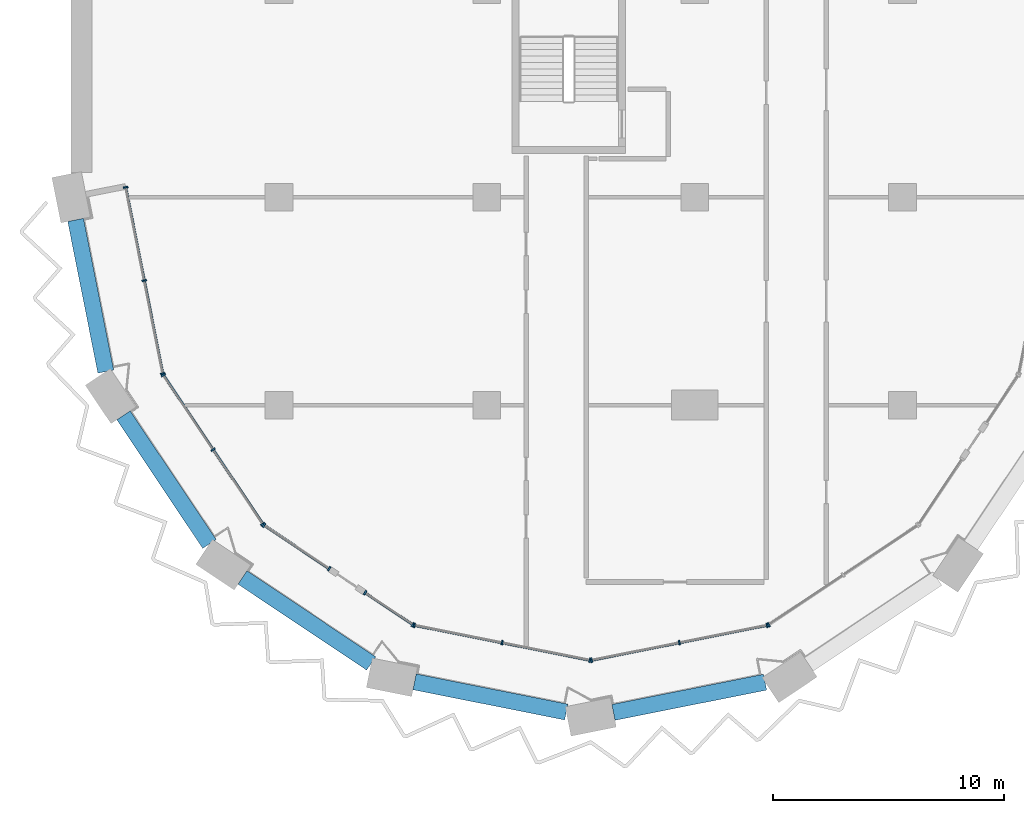
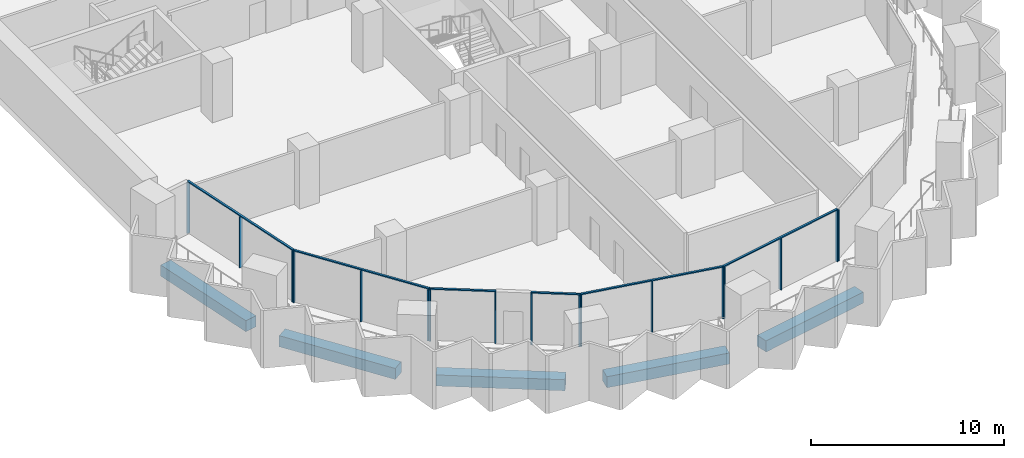
# One storey, part 2 of 23: 23 members, 5 beams, 7 elements without a shape of their own.
"""IFC4 building model written with IfcOpenShell, lengths in metres."""

from ifc_helpers import new_model, si_unit, direction, frame, origin, origin_2d, place, context, subcontext, project, spatial, rectangle, extrude, material, material_profile, profile_set, type_object, element, aggregate, save


model = new_model("IFC4")

# Units and contexts
model_context = context("Model", 3, precision=1e-05, world=origin(), true_north=direction((0.0, 1.0)))
body_context = subcontext(model_context, "Body", "Model", "MODEL_VIEW")
ifc_project = project(units=[si_unit("LENGTHUNIT", "METRE"), si_unit("AREAUNIT", "SQUARE_METRE"), si_unit("VOLUMEUNIT", "CUBIC_METRE"), si_unit("PLANEANGLEUNIT", "RADIAN"), si_unit("MASSUNIT", "GRAM", prefix="KILO")], contexts=[model_context])

# Site, building, storey
site_placement = place(None, origin())
site = spatial("IfcSite", under=ifc_project, at=site_placement, CompositionType="ELEMENT")
building_placement = place(site_placement, origin())
building = spatial("IfcBuilding", under=site, at=building_placement, Name="Hunhe Ridgeline Campus", CompositionType="ELEMENT")
storey_placement = place(building_placement, frame((0.0, 0.0, 144.89990234375)))
storey = spatial("IfcBuildingStorey", under=building, at=storey_placement, Name="L36", CompositionType="ELEMENT", Elevation=144.89990234375)

# Curtain wall, members
ifc_material_1 = material(Name="Aluminium 6063", Category="aluminium")
curtain_wall_type = type_object("IfcCurtainWallType", Name="Curtain wall CW-5", PredefinedType="NOTDEFINED", material=ifc_material_1)
curtain_wall_1_placement = place(storey_placement, origin())
curtain_wall_1 = element("IfcCurtainWall", 1, at=curtain_wall_1_placement, inside=storey, type_object=curtain_wall_type, Name="Curtain wall 01", PredefinedType="NOTDEFINED")
ifc_material_profile_1 = material_profile(ifc_material_1, rectangle(XDim=0.199951171875, YDim=0.070068359375, at=origin_2d()))
ifc_profile_set_1 = profile_set([ifc_material_profile_1], Name="Aluminium 6063")
member_type_1 = type_object("IfcMemberType", Name="CW-5 aluminium mullion", PredefinedType="MULLION", material=ifc_profile_set_1)
member_1_placement = place(storey_placement, frame((2.361572265625, 27.434326171875, 0.0), z_axis=(0.0, 0.0, 1.0), x_axis=(0.980784280831, 0.195095347137, 0.0)))
member_1 = element("IfcMember", 2, at=member_1_placement, type_object=member_type_1, Name="CW-5 mullion 1", PredefinedType="MULLION", context=body_context, shape_type="SweptSolid", body=[
    extrude(rectangle(XDim=0.199951171875, YDim=0.070068359375, at=origin_2d()), origin(), (0.0, 0.0, 1.0), 3.22998046875),
])
member_2_placement = place(storey_placement, frame((3.16455078125, 23.3974609375, 0.0), z_axis=(0.0, 0.0, 1.0), x_axis=(0.980784280831, 0.195095347137, 0.0)))
member_2 = element("IfcMember", 3, at=member_2_placement, type_object=member_type_1, Name="CW-5 mullion 2", PredefinedType="MULLION", context=body_context, shape_type="SweptSolid", body=[
    extrude(rectangle(XDim=0.199951171875, YDim=0.070068359375, at=origin_2d()), origin(), (0.0, 0.0, 1.0), 3.22998046875),
])
member_3_placement = place(storey_placement, frame((3.967529296875, 19.36083984375, 0.0), z_axis=(0.0, 0.0, 1.0), x_axis=(0.980784280831, 0.195095347137, 0.0)))
member_3 = element("IfcMember", 4, at=member_3_placement, type_object=member_type_1, Name="CW-5 mullion 3", PredefinedType="MULLION", context=body_context, shape_type="SweptSolid", body=[
    extrude(rectangle(XDim=0.199951171875, YDim=0.070068359375, at=origin_2d()), origin(), (0.0, 0.0, 1.0), 3.22998046875),
])

curtain_wall_2_placement = place(storey_placement, origin())
curtain_wall_2 = element("IfcCurtainWall", 5, at=curtain_wall_2_placement, inside=storey, type_object=curtain_wall_type, Name="Curtain wall 02", PredefinedType="NOTDEFINED")
member_4_placement = place(storey_placement, frame((3.993896484375, 19.29736328125, 0.0), z_axis=(0.0, 0.0, 1.0), x_axis=(0.831469584522, 0.555570274596, 0.0)))
member_4 = element("IfcMember", 6, at=member_4_placement, type_object=member_type_1, Name="CW-5 mullion 1", PredefinedType="MULLION", context=body_context, shape_type="SweptSolid", body=[
    extrude(rectangle(XDim=0.199951171875, YDim=0.070068359375, at=origin_2d()), origin(), (0.0, 0.0, 1.0), 3.22998046875),
])
member_5_placement = place(storey_placement, frame((6.147705078125, 16.07373046875, 0.0), z_axis=(0.0, 0.0, 1.0), x_axis=(0.831469584522, 0.555570274596, 0.0)))
member_5 = element("IfcMember", 7, at=member_5_placement, type_object=member_type_1, Name="CW-5 mullion 2", PredefinedType="MULLION", context=body_context, shape_type="SweptSolid", body=[
    extrude(rectangle(XDim=0.199951171875, YDim=0.070068359375, at=origin_2d()), origin(), (0.0, 0.0, 1.0), 3.22998046875),
])
member_6_placement = place(storey_placement, frame((8.3017578125, 12.850341796875, 0.0), z_axis=(0.0, 0.0, 1.0), x_axis=(0.831469584522, 0.555570274596, 0.0)))
member_6 = element("IfcMember", 8, at=member_6_placement, type_object=member_type_1, Name="CW-5 mullion 3", PredefinedType="MULLION", context=body_context, shape_type="SweptSolid", body=[
    extrude(rectangle(XDim=0.199951171875, YDim=0.070068359375, at=origin_2d()), origin(), (0.0, 0.0, 1.0), 3.22998046875),
])

curtain_wall_3_placement = place(storey_placement, origin())
curtain_wall_3 = element("IfcCurtainWall", 9, at=curtain_wall_3_placement, inside=storey, type_object=curtain_wall_type, Name="Curtain wall 03", PredefinedType="NOTDEFINED")
member_7_placement = place(storey_placement, frame((8.350341796875, 12.8017578125, 0.0), z_axis=(0.0, 0.0, 1.0), x_axis=(0.555570257501, 0.831469595944, 0.0)))
member_7 = element("IfcMember", 10, at=member_7_placement, type_object=member_type_1, Name="CW-5 mullion 1", PredefinedType="MULLION", context=body_context, shape_type="SweptSolid", body=[
    extrude(rectangle(XDim=0.199951171875, YDim=0.070068359375, at=origin_2d()), origin(), (0.0, 0.0, 1.0), 3.22998046875),
])
member_8_placement = place(storey_placement, frame((11.17041015625, 10.917236328125, 0.0), z_axis=(0.0, 0.0, 1.0), x_axis=(0.555570257501, 0.831469595944, 0.0)))
member_8 = element("IfcMember", 11, at=member_8_placement, type_object=member_type_1, Name="CW-5 mullion 2", PredefinedType="MULLION", context=body_context, shape_type="SweptSolid", body=[
    extrude(rectangle(XDim=0.199951171875, YDim=0.070068359375, at=origin_2d()), origin(), (0.0, 0.0, 1.0), 3.22998046875),
])

curtain_wall_4_placement = place(storey_placement, origin())
curtain_wall_4 = element("IfcCurtainWall", 12, at=curtain_wall_4_placement, inside=storey, type_object=curtain_wall_type, Name="Curtain wall 04", PredefinedType="NOTDEFINED")
member_9_placement = place(storey_placement, frame((12.725341796875, 9.87841796875, 0.0), z_axis=(0.0, 0.0, 1.0), x_axis=(0.555570385598, 0.831469510353, 0.0)))
member_9 = element("IfcMember", 13, at=member_9_placement, type_object=member_type_1, Name="CW-5 mullion 1", PredefinedType="MULLION", context=body_context, shape_type="SweptSolid", body=[
    extrude(rectangle(XDim=0.199951171875, YDim=0.070068359375, at=origin_2d()), origin(), (0.0, 0.0, 1.0), 3.22998046875),
])
member_10_placement = place(storey_placement, frame((14.79736328125, 8.493896484375, 0.0), z_axis=(0.0, 0.0, 1.0), x_axis=(0.555570385598, 0.831469510353, 0.0)))
member_10 = element("IfcMember", 14, at=member_10_placement, type_object=member_type_1, Name="CW-5 mullion 2", PredefinedType="MULLION", context=body_context, shape_type="SweptSolid", body=[
    extrude(rectangle(XDim=0.199951171875, YDim=0.070068359375, at=origin_2d()), origin(), (0.0, 0.0, 1.0), 3.22998046875),
])

curtain_wall_5_placement = place(storey_placement, origin())
curtain_wall_5 = element("IfcCurtainWall", 15, at=curtain_wall_5_placement, inside=storey, type_object=curtain_wall_type, Name="Curtain wall 05", PredefinedType="NOTDEFINED")
member_11_placement = place(storey_placement, frame((14.86083984375, 8.467529296875, 0.0), z_axis=(0.0, 0.0, 1.0), x_axis=(0.195090347539, 0.980785275326, 0.0)))
member_11 = element("IfcMember", 16, at=member_11_placement, type_object=member_type_1, Name="CW-5 mullion 1", PredefinedType="MULLION", context=body_context, shape_type="SweptSolid", body=[
    extrude(rectangle(XDim=0.199951171875, YDim=0.070068359375, at=origin_2d()), origin(), (0.0, 0.0, 1.0), 3.22998046875),
])
member_12_placement = place(storey_placement, frame((18.663330078125, 7.711181640625, 0.0), z_axis=(0.0, 0.0, 1.0), x_axis=(0.195090347539, 0.980785275326, 0.0)))
member_12 = element("IfcMember", 17, at=member_12_placement, type_object=member_type_1, Name="CW-5 mullion 2", PredefinedType="MULLION", context=body_context, shape_type="SweptSolid", body=[
    extrude(rectangle(XDim=0.199951171875, YDim=0.070068359375, at=origin_2d()), origin(), (0.0, 0.0, 1.0), 3.22998046875),
])
member_13_placement = place(storey_placement, frame((22.465576171875, 6.954833984375, 0.0), z_axis=(0.0, 0.0, 1.0), x_axis=(0.195090347539, 0.980785275326, 0.0)))
member_13 = element("IfcMember", 18, at=member_13_placement, type_object=member_type_1, Name="CW-5 mullion 3", PredefinedType="MULLION", context=body_context, shape_type="SweptSolid", body=[
    extrude(rectangle(XDim=0.199951171875, YDim=0.070068359375, at=origin_2d()), origin(), (0.0, 0.0, 1.0), 3.22998046875),
])

curtain_wall_6_placement = place(storey_placement, origin())
curtain_wall_6 = element("IfcCurtainWall", 19, at=curtain_wall_6_placement, inside=storey, type_object=curtain_wall_type, Name="Curtain wall 06", PredefinedType="NOTDEFINED")
member_14_placement = place(storey_placement, frame((22.534423828125, 6.954833984375, 0.0), z_axis=(0.0, 0.0, 1.0), x_axis=(-0.195090347539, 0.980785275326, 0.0)))
member_14 = element("IfcMember", 20, at=member_14_placement, type_object=member_type_1, Name="CW-5 mullion 1", PredefinedType="MULLION", context=body_context, shape_type="SweptSolid", body=[
    extrude(rectangle(XDim=0.199951171875, YDim=0.070068359375, at=origin_2d()), origin(), (0.0, 0.0, 1.0), 3.22998046875),
])
member_15_placement = place(storey_placement, frame((26.336669921875, 7.711181640625, 0.0), z_axis=(0.0, 0.0, 1.0), x_axis=(-0.195090347539, 0.980785275326, 0.0)))
member_15 = element("IfcMember", 21, at=member_15_placement, type_object=member_type_1, Name="CW-5 mullion 2", PredefinedType="MULLION", context=body_context, shape_type="SweptSolid", body=[
    extrude(rectangle(XDim=0.199951171875, YDim=0.070068359375, at=origin_2d()), origin(), (0.0, 0.0, 1.0), 3.22998046875),
])
member_16_placement = place(storey_placement, frame((30.13916015625, 8.467529296875, 0.0), z_axis=(0.0, 0.0, 1.0), x_axis=(-0.195090347539, 0.980785275326, 0.0)))
member_16 = element("IfcMember", 22, at=member_16_placement, type_object=member_type_1, Name="CW-5 mullion 3", PredefinedType="MULLION", context=body_context, shape_type="SweptSolid", body=[
    extrude(rectangle(XDim=0.199951171875, YDim=0.070068359375, at=origin_2d()), origin(), (0.0, 0.0, 1.0), 3.22998046875),
])

# Curtain wall, member
curtain_wall_7_placement = place(storey_placement, origin())
curtain_wall_7 = element("IfcCurtainWall", 23, at=curtain_wall_7_placement, inside=storey, type_object=curtain_wall_type, Name="Curtain wall 07", PredefinedType="NOTDEFINED")
member_17_placement = place(storey_placement, frame((30.20263671875, 8.493896484375, 0.0), z_axis=(0.0, 0.0, 1.0), x_axis=(-0.555570274596, 0.831469584522, 0.0)))
member_17 = element("IfcMember", 24, at=member_17_placement, type_object=member_type_1, Name="CW-5 mullion 1", PredefinedType="MULLION", context=body_context, shape_type="SweptSolid", body=[
    extrude(rectangle(XDim=0.199951171875, YDim=0.070068359375, at=origin_2d()), origin(), (0.0, 0.0, 1.0), 3.22998046875),
])
aggregate(curtain_wall_7, [member_17])

# Member
ifc_material_profile_2 = material_profile(ifc_material_1, rectangle(XDim=0.1201171875, YDim=0.070068359375, at=origin_2d()))
ifc_profile_set_2 = profile_set([ifc_material_profile_2], Name="Aluminium 6063")
member_type_2 = type_object("IfcMemberType", Name="CW-5 aluminium transom", PredefinedType="USERDEFINED", material=ifc_profile_set_2)
member_18_placement = place(storey_placement, frame((2.354736328125, 27.46875, 3.26513671875), z_axis=(0.195092405068, -0.980784866056, 0.0), x_axis=(0.980784866056, 0.195092405068, 0.0)))
member_18 = element("IfcMember", 25, at=member_18_placement, type_object=member_type_2, Name="CW-5 transom 1", ObjectType="TRANSOM", PredefinedType="USERDEFINED", context=body_context, shape_type="SweptSolid", body=[
    extrude(rectangle(XDim=0.1201171875, YDim=0.070068359375, at=origin_2d()), origin(), (0.0, 0.0, 1.0), 8.3017578125),
])

aggregate(curtain_wall_1, [member_18, member_1, member_2, member_3])

member_19_placement = place(storey_placement, frame((3.974365234375, 19.326416015625, 3.26513671875), z_axis=(0.5555640203, -0.831473763475, 0.0), x_axis=(0.831473763475, 0.5555640203, 0.0)))
member_19 = element("IfcMember", 26, at=member_19_placement, type_object=member_type_2, Name="CW-5 transom 1", ObjectType="TRANSOM", PredefinedType="USERDEFINED", context=body_context, shape_type="SweptSolid", body=[
    extrude(rectangle(XDim=0.1201171875, YDim=0.070068359375, at=origin_2d()), origin(), (0.0, 0.0, 1.0), 7.823974609375),
])

aggregate(curtain_wall_2, [member_19, member_4, member_5, member_6])

member_20_placement = place(storey_placement, frame((8.321044921875, 12.821044921875, 3.26513671875), z_axis=(0.831485714606, -0.555546133463, 0.0), x_axis=(0.555546133463, 0.831485714606, 0.0)))
member_20 = element("IfcMember", 27, at=member_20_placement, type_object=member_type_2, Name="CW-5 transom 1", ObjectType="TRANSOM", PredefinedType="USERDEFINED", context=body_context, shape_type="SweptSolid", body=[
    extrude(rectangle(XDim=0.1201171875, YDim=0.070068359375, at=origin_2d()), origin(), (0.0, 0.0, 1.0), 3.462158203125),
])

aggregate(curtain_wall_3, [member_20, member_7, member_8])

member_21_placement = place(storey_placement, frame((12.6962890625, 9.897705078125, 3.26513671875), z_axis=(0.831463388334, -0.555579547735, 0.0), x_axis=(0.555579547735, 0.831463388334, 0.0)))
member_21 = element("IfcMember", 28, at=member_21_placement, type_object=member_type_2, Name="CW-5 transom 1", ObjectType="TRANSOM", PredefinedType="USERDEFINED", context=body_context, shape_type="SweptSolid", body=[
    extrude(rectangle(XDim=0.1201171875, YDim=0.070068359375, at=origin_2d()), origin(), (0.0, 0.0, 1.0), 2.56201171875),
])

aggregate(curtain_wall_4, [member_21, member_9, member_10])

member_22_placement = place(storey_placement, frame((14.826416015625, 8.474365234375, 3.26513671875), z_axis=(0.980785367689, -0.195089883198, 0.0), x_axis=(0.195089883198, 0.980785367689, 0.0)))
member_22 = element("IfcMember", 29, at=member_22_placement, type_object=member_type_2, Name="CW-5 transom 1", ObjectType="TRANSOM", PredefinedType="USERDEFINED", context=body_context, shape_type="SweptSolid", body=[
    extrude(rectangle(XDim=0.1201171875, YDim=0.070068359375, at=origin_2d()), origin(), (0.0, 0.0, 1.0), 7.823974609375),
])

aggregate(curtain_wall_5, [member_22, member_11, member_12, member_13])

member_23_placement = place(storey_placement, frame((22.5, 6.947998046875, 3.26513671875), z_axis=(0.980785367689, 0.195089883198, 0.0), x_axis=(-0.195089883198, 0.980785367689, 0.0)))
member_23 = element("IfcMember", 30, at=member_23_placement, type_object=member_type_2, Name="CW-5 transom 1", ObjectType="TRANSOM", PredefinedType="USERDEFINED", context=body_context, shape_type="SweptSolid", body=[
    extrude(rectangle(XDim=0.1201171875, YDim=0.070068359375, at=origin_2d()), origin(), (0.0, 0.0, 1.0), 7.823974609375),
])

aggregate(curtain_wall_6, [member_23, member_14, member_15, member_16])

# Beams
ifc_material_2 = material(Name="Concrete C60", Category="concrete")
ifc_material_profile_3 = material_profile(ifc_material_2, rectangle(XDim=0.699951171875, YDim=0.699951171875, at=origin_2d()))
ifc_profile_set_3 = profile_set([ifc_material_profile_3], Name="Concrete C60")
beam_type = type_object("IfcBeamType", Name="RC spandrel beam 700x700 Concrete C60", PredefinedType="SPANDREL", material=ifc_profile_set_3)
for number, where, z_axis, x_axis, name in (
    (31, (0.195068359375, 26.019287109375, -0.599853515625), (0.195078418929, -0.980787647999, 0.0), (0.980787647999, 0.195078418929, 0.0), "Spandrel beam B2-1 L36"),
    (32, (2.268310546875, 17.55810546875, -0.599853515625), (0.555566447474, -0.831472141711, 0.0), (0.831472141711, 0.555566447474, 0.0), "Spandrel beam B2-2 L36"),
    (33, (7.421630859375, 10.534423828125, -0.599853515625), (0.831472141711, -0.555566447474, 0.0), (0.555566447474, 0.831472141711, 0.0), "Spandrel beam B2-3 L36"),
    (34, (14.870361328125, 6.017578125, -0.599853515625), (0.980787647999, -0.195078418929, 0.0), (0.195078418929, 0.980787647999, 0.0), "Spandrel beam B2-4 L36"),
    (35, (23.480712890625, 4.695068359375, -0.599853515625), (0.980787647999, 0.195078418929, 0.0), (-0.195078418929, 0.980787647999, 0.0), "Spandrel beam B2-5 L36"),
):
    element("IfcBeam", number, at=place(storey_placement, frame(where, z_axis=z_axis, x_axis=x_axis)), inside=storey, type_object=beam_type, Name=name, PredefinedType="SPANDREL", context=body_context, shape_type="SweptSolid", body=[
        extrude(rectangle(XDim=0.699951171875, YDim=0.699951171875, at=origin_2d()), origin(), (0.0, 0.0, 1.0), 6.69677734375),
    ])

save(model, "model.ifc")
